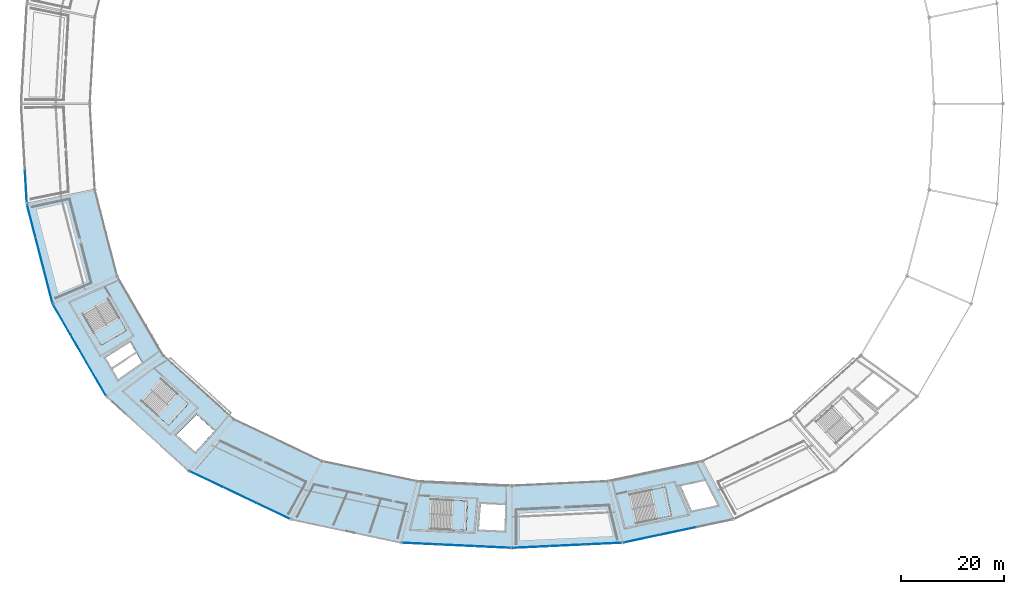
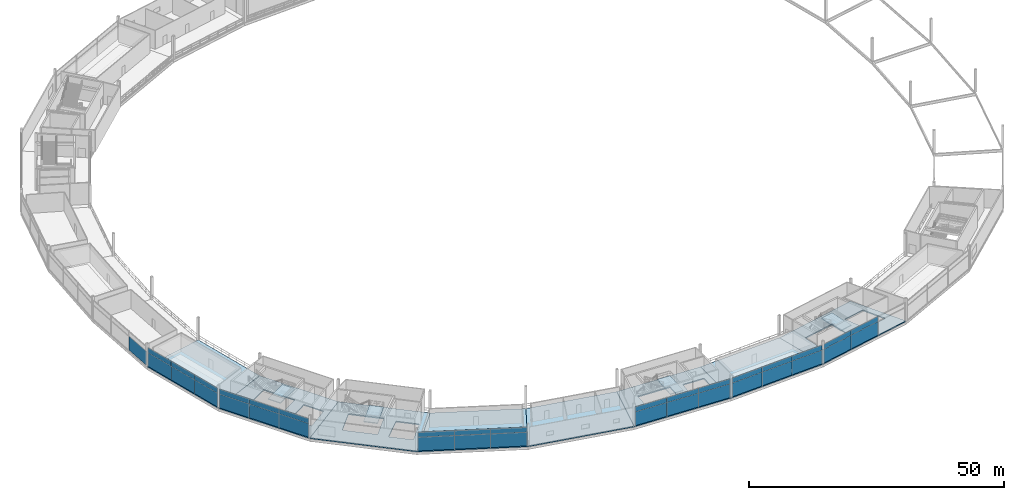
# One storey, part 68 of 103: 35 plates, 12 slabs, 11 elements without a shape of their own.
"""IFC4 building model written with IfcOpenShell, lengths in metres."""

from ifc_helpers import new_model, si_unit, direction, frame, origin, origin_2d, place, context, subcontext, project, spatial, polyline, rectangle, outline, extrude, material, layer, layer_set, type_object, element, aggregate, save


model = new_model("IFC4")

# Units and contexts
model_context = context("Model", 3, precision=1e-05, world=origin(), true_north=direction((0.0, 1.0)))
body_context = subcontext(model_context, "Body", "Model", "MODEL_VIEW")
ifc_project = project(units=[si_unit("LENGTHUNIT", "METRE"), si_unit("AREAUNIT", "SQUARE_METRE"), si_unit("VOLUMEUNIT", "CUBIC_METRE"), si_unit("PLANEANGLEUNIT", "RADIAN"), si_unit("MASSUNIT", "GRAM", prefix="KILO")], contexts=[model_context])

# Site, building, storey
site_placement = place(None, origin())
site = spatial("IfcSite", under=ifc_project, at=site_placement, CompositionType="ELEMENT")
building_placement = place(site_placement, origin())
building = spatial("IfcBuilding", under=site, at=building_placement, Name="Kazemori Nagisa Stadium", CompositionType="ELEMENT")
storey_placement = place(building_placement, frame((0.0, 0.0, 25.840087890625)))
storey = spatial("IfcBuildingStorey", under=building, at=storey_placement, Name="L05", CompositionType="ELEMENT", Elevation=25.840087890625)

# Curtain wall, plates
ifc_material_1 = material(Name="Anodised aluminium 6063-T5", Category="aluminium")
ifc_layer_1 = layer(ifc_material_1, 0.239990234375, Name="Anodised aluminium 6063-T5", Category="aluminium")
ifc_layer_set_1 = layer_set([ifc_layer_1], Name="Anodised aluminium 6063-T5")
curtain_wall_type_1 = type_object("IfcCurtainWallType", Name="CW_L05R3_101", PredefinedType="USERDEFINED", material=ifc_layer_set_1)
curtain_wall_1_placement = place(storey_placement, origin())
curtain_wall_1 = element("IfcCurtainWall", 1, at=curtain_wall_1_placement, inside=storey, type_object=curtain_wall_type_1, Name="Unitised curtain wall CW-L05R3-101 L05", ObjectType="UNITISED CURTAIN WALL", PredefinedType="USERDEFINED")
ifc_material_2 = material(Name="Anodised aluminium spandrel sheet", Category="aluminium")
ifc_layer_2 = layer(ifc_material_2, 0.052001953125, Name="Anodised aluminium spandrel sheet", Category="aluminium")
ifc_layer_set_2 = layer_set([ifc_layer_2], Name="Anodised aluminium spandrel sheet")
plate_type_1 = type_object("IfcPlateType", Name="CWPanel_SPN_L05R3_101", PredefinedType="CURTAIN_PANEL", material=ifc_layer_set_2)
plate_1_placement = place(storey_placement, frame((35.931884765625, 60.116943359375, 3.306884765625), z_axis=(0.0, 0.0, 1.0), x_axis=(0.501611590054, -0.865092950337, 0.0)))
plate_1 = element("IfcPlate", 2, at=plate_1_placement, type_object=plate_type_1, Name="Curtain wall spandrel panel CW-L05R3-101-S1", PredefinedType="CURTAIN_PANEL", context=body_context, shape_type="SweptSolid", body=[
    extrude(rectangle(XDim=6.7099609375, YDim=0.052001953125, at=origin_2d()), origin(), (0.0, 0.0, 1.0), 1.22314453125),
])
plate_2_placement = place(storey_placement, frame((39.309814453125, 54.29150390625, 3.306884765625), z_axis=(0.0, 0.0, 1.0), x_axis=(0.501611590054, -0.865092950337, 0.0)))
plate_2 = element("IfcPlate", 3, at=plate_2_placement, type_object=plate_type_1, Name="Curtain wall spandrel panel CW-L05R3-101-S2", PredefinedType="CURTAIN_PANEL", context=body_context, shape_type="SweptSolid", body=[
    extrude(rectangle(XDim=6.7099609375, YDim=0.052001953125, at=origin_2d()), origin(), (0.0, 0.0, 1.0), 1.22314453125),
])
plate_3_placement = place(storey_placement, frame((42.687744140625, 48.4658203125, 3.306884765625), z_axis=(0.0, 0.0, 1.0), x_axis=(0.501611590054, -0.865092950337, 0.0)))
plate_3 = element("IfcPlate", 4, at=plate_3_placement, type_object=plate_type_1, Name="Curtain wall spandrel panel CW-L05R3-101-S3", PredefinedType="CURTAIN_PANEL", context=body_context, shape_type="SweptSolid", body=[
    extrude(rectangle(XDim=6.7099609375, YDim=0.052001953125, at=origin_2d()), origin(), (0.0, 0.0, 1.0), 1.22314453125),
])

ifc_layer_3 = layer(ifc_material_1, 0.239990234375, Name="Anodised aluminium 6063-T5", Category="aluminium")
ifc_layer_set_3 = layer_set([ifc_layer_3], Name="Anodised aluminium 6063-T5")
curtain_wall_type_2 = type_object("IfcCurtainWallType", Name="CW_L05R3_105", PredefinedType="USERDEFINED", material=ifc_layer_set_3)
curtain_wall_2_placement = place(storey_placement, origin())
curtain_wall_2 = element("IfcCurtainWall", 5, at=curtain_wall_2_placement, inside=storey, type_object=curtain_wall_type_2, Name="Unitised curtain wall CW-L05R3-105 L05", ObjectType="UNITISED CURTAIN WALL", PredefinedType="USERDEFINED")
ifc_layer_4 = layer(ifc_material_2, 0.052001953125, Name="Anodised aluminium spandrel sheet", Category="aluminium")
ifc_layer_set_4 = layer_set([ifc_layer_4], Name="Anodised aluminium spandrel sheet")
plate_type_2 = type_object("IfcPlateType", Name="CWPanel_SPN_L05R3_105", PredefinedType="CURTAIN_PANEL", material=ifc_layer_set_4)
plate_4_placement = place(storey_placement, frame((105.3134765625, 16.836181640625, 3.306884765625), z_axis=(0.0, 0.0, 1.0), x_axis=(0.998884022476, -0.047230388971, 0.0)))
plate_4 = element("IfcPlate", 6, at=plate_4_placement, type_object=plate_type_2, Name="Curtain wall spandrel panel CW-L05R3-105-S1", PredefinedType="CURTAIN_PANEL", context=body_context, shape_type="SweptSolid", body=[
    extrude(rectangle(XDim=6.956787109375, YDim=0.052001953125, at=origin_2d()), origin(), (0.0, 0.0, 1.0), 1.22314453125),
])
plate_5_placement = place(storey_placement, frame((112.2861328125, 16.506591796875, 3.306884765625), z_axis=(0.0, 0.0, 1.0), x_axis=(0.998884022476, -0.047230388971, 0.0)))
plate_5 = element("IfcPlate", 7, at=plate_5_placement, type_object=plate_type_2, Name="Curtain wall spandrel panel CW-L05R3-105-S2", PredefinedType="CURTAIN_PANEL", context=body_context, shape_type="SweptSolid", body=[
    extrude(rectangle(XDim=6.956787109375, YDim=0.052001953125, at=origin_2d()), origin(), (0.0, 0.0, 1.0), 1.22314453125),
])
plate_6_placement = place(storey_placement, frame((119.2587890625, 16.177001953125, 3.306884765625), z_axis=(0.0, 0.0, 1.0), x_axis=(0.998884022476, -0.047230388971, 0.0)))
plate_6 = element("IfcPlate", 8, at=plate_6_placement, type_object=plate_type_2, Name="Curtain wall spandrel panel CW-L05R3-105-S3", PredefinedType="CURTAIN_PANEL", context=body_context, shape_type="SweptSolid", body=[
    extrude(rectangle(XDim=6.956787109375, YDim=0.052001953125, at=origin_2d()), origin(), (0.0, 0.0, 1.0), 1.22314453125),
])

curtain_wall_3_placement = place(storey_placement, origin())
curtain_wall_3 = element("IfcCurtainWall", 9, at=curtain_wall_3_placement, inside=storey, type_object=curtain_wall_type_2, Name="Unitised curtain wall CW-L05R3-105 L05", ObjectType="UNITISED CURTAIN WALL", PredefinedType="USERDEFINED")
plate_7_placement = place(storey_placement, frame((126.7412109375, 16.177001953125, 3.306884765625), z_axis=(0.0, 0.0, 1.0), x_axis=(0.998884022476, 0.047230388971, 0.0)))
plate_7 = element("IfcPlate", 10, at=plate_7_placement, type_object=plate_type_2, Name="Curtain wall spandrel panel CW-L05R3-105-S1", PredefinedType="CURTAIN_PANEL", context=body_context, shape_type="SweptSolid", body=[
    extrude(rectangle(XDim=6.956787109375, YDim=0.052001953125, at=origin_2d()), origin(), (0.0, 0.0, 1.0), 1.22314453125),
])
plate_8_placement = place(storey_placement, frame((133.7138671875, 16.506591796875, 3.306884765625), z_axis=(0.0, 0.0, 1.0), x_axis=(0.998884022476, 0.047230388971, 0.0)))
plate_8 = element("IfcPlate", 11, at=plate_8_placement, type_object=plate_type_2, Name="Curtain wall spandrel panel CW-L05R3-105-S2", PredefinedType="CURTAIN_PANEL", context=body_context, shape_type="SweptSolid", body=[
    extrude(rectangle(XDim=6.956787109375, YDim=0.052001953125, at=origin_2d()), origin(), (0.0, 0.0, 1.0), 1.22314453125),
])
plate_9_placement = place(storey_placement, frame((140.6865234375, 16.836181640625, 3.306884765625), z_axis=(0.0, 0.0, 1.0), x_axis=(0.998884022476, 0.047230388971, 0.0)))
plate_9 = element("IfcPlate", 12, at=plate_9_placement, type_object=plate_type_2, Name="Curtain wall spandrel panel CW-L05R3-105-S3", PredefinedType="CURTAIN_PANEL", context=body_context, shape_type="SweptSolid", body=[
    extrude(rectangle(XDim=6.956787109375, YDim=0.052001953125, at=origin_2d()), origin(), (0.0, 0.0, 1.0), 1.22314453125),
])

ifc_layer_5 = layer(ifc_material_1, 0.239990234375, Name="Anodised aluminium 6063-T5", Category="aluminium")
ifc_layer_set_5 = layer_set([ifc_layer_5], Name="Anodised aluminium 6063-T5")
curtain_wall_type_3 = type_object("IfcCurtainWallType", Name="CW_L05R3_107", PredefinedType="USERDEFINED", material=ifc_layer_set_5)
curtain_wall_4_placement = place(storey_placement, origin())
curtain_wall_4 = element("IfcCurtainWall", 13, at=curtain_wall_4_placement, inside=storey, type_object=curtain_wall_type_3, Name="Unitised curtain wall CW-L05R3-107 L05", ObjectType="UNITISED CURTAIN WALL", PredefinedType="USERDEFINED")
ifc_layer_6 = layer(ifc_material_2, 0.052001953125, Name="Anodised aluminium spandrel sheet", Category="aluminium")
ifc_layer_set_6 = layer_set([ifc_layer_6], Name="Anodised aluminium spandrel sheet")
plate_type_3 = type_object("IfcPlateType", Name="CWPanel_SPN_L05R3_107", PredefinedType="CURTAIN_PANEL", material=ifc_layer_set_6)
plate_10_placement = place(storey_placement, frame((63.8544921875, 29.300537109375, 3.306884765625), z_axis=(0.0, 0.0, 1.0), x_axis=(0.903215892654, -0.429186499388, 0.0)))
plate_10 = element("IfcPlate", 14, at=plate_10_placement, type_object=plate_type_3, Name="Curtain wall spandrel panel CW-L05R3-107-S1", PredefinedType="CURTAIN_PANEL", context=body_context, shape_type="SweptSolid", body=[
    extrude(rectangle(XDim=7.110595703125, YDim=0.052001953125, at=origin_2d()), origin(), (0.0, 0.0, 1.0), 1.22314453125),
])
plate_11_placement = place(storey_placement, frame((70.298583984375, 26.23828125, 3.306884765625), z_axis=(0.0, 0.0, 1.0), x_axis=(0.903215892654, -0.429186499388, 0.0)))
plate_11 = element("IfcPlate", 15, at=plate_11_placement, type_object=plate_type_3, Name="Curtain wall spandrel panel CW-L05R3-107-S2", PredefinedType="CURTAIN_PANEL", context=body_context, shape_type="SweptSolid", body=[
    extrude(rectangle(XDim=7.110595703125, YDim=0.052001953125, at=origin_2d()), origin(), (0.0, 0.0, 1.0), 1.22314453125),
])
plate_12_placement = place(storey_placement, frame((76.742919921875, 23.17626953125, 3.306884765625), z_axis=(0.0, 0.0, 1.0), x_axis=(0.903215892654, -0.429186499388, 0.0)))
plate_12 = element("IfcPlate", 16, at=plate_12_placement, type_object=plate_type_3, Name="Curtain wall spandrel panel CW-L05R3-107-S3", PredefinedType="CURTAIN_PANEL", context=body_context, shape_type="SweptSolid", body=[
    extrude(rectangle(XDim=7.110595703125, YDim=0.052001953125, at=origin_2d()), origin(), (0.0, 0.0, 1.0), 1.22314453125),
])

curtain_wall_5_placement = place(storey_placement, origin())
curtain_wall_5 = element("IfcCurtainWall", 17, at=curtain_wall_5_placement, inside=storey, type_object=curtain_wall_type_3, Name="Unitised curtain wall CW-L05R3-107 L05", ObjectType="UNITISED CURTAIN WALL", PredefinedType="USERDEFINED")
plate_13_placement = place(storey_placement, frame((148.15673828125, 17.802001953125, 3.306884765625), z_axis=(0.0, 0.0, 1.0), x_axis=(0.978344955407, 0.206981033502, 0.0)))
plate_13 = element("IfcPlate", 18, at=plate_13_placement, type_object=plate_type_3, Name="Curtain wall spandrel panel CW-L05R3-107-S1", PredefinedType="CURTAIN_PANEL", context=body_context, shape_type="SweptSolid", body=[
    extrude(rectangle(XDim=7.08935546875, YDim=0.052001953125, at=origin_2d()), origin(), (0.0, 0.0, 1.0), 1.22314453125),
])
plate_14_placement = place(storey_placement, frame((155.1162109375, 19.2744140625, 3.306884765625), z_axis=(0.0, 0.0, 1.0), x_axis=(0.978344955407, 0.206981033502, 0.0)))
plate_14 = element("IfcPlate", 19, at=plate_14_placement, type_object=plate_type_3, Name="Curtain wall spandrel panel CW-L05R3-107-S2", PredefinedType="CURTAIN_PANEL", context=body_context, shape_type="SweptSolid", body=[
    extrude(rectangle(XDim=7.08935546875, YDim=0.052001953125, at=origin_2d()), origin(), (0.0, 0.0, 1.0), 1.22314453125),
])

ifc_layer_7 = layer(ifc_material_1, 0.239990234375, Name="Anodised aluminium 6063-T5", Category="aluminium")
ifc_layer_set_7 = layer_set([ifc_layer_7], Name="Anodised aluminium 6063-T5")
curtain_wall_type_4 = type_object("IfcCurtainWallType", Name="CW_L05R3_98", PredefinedType="USERDEFINED", material=ifc_layer_set_7)
curtain_wall_6_placement = place(storey_placement, origin())
curtain_wall_6 = element("IfcCurtainWall", 20, at=curtain_wall_6_placement, inside=storey, type_object=curtain_wall_type_4, Name="Unitised curtain wall CW-L05R3-98 L05", ObjectType="UNITISED CURTAIN WALL", PredefinedType="USERDEFINED")
ifc_layer_8 = layer(ifc_material_2, 0.052001953125, Name="Anodised aluminium spandrel sheet", Category="aluminium")
ifc_layer_set_8 = layer_set([ifc_layer_8], Name="Anodised aluminium spandrel sheet")
plate_type_4 = type_object("IfcPlateType", Name="CWPanel_SPN_L05R3_98", PredefinedType="CURTAIN_PANEL", material=ifc_layer_set_8)
plate_15_placement = place(storey_placement, frame((29.994384765625, 79.21240234375, 3.306884765625), z_axis=(0.0, 0.0, 1.0), x_axis=(0.249964642418, -0.968254965152, 0.0)))
plate_15 = element("IfcPlate", 21, at=plate_15_placement, type_object=plate_type_4, Name="Curtain wall spandrel panel CW-L05R3-98-S1", PredefinedType="CURTAIN_PANEL", context=body_context, shape_type="SweptSolid", body=[
    extrude(rectangle(XDim=6.468017578125, YDim=0.052001953125, at=origin_2d()), origin(), (0.0, 0.0, 1.0), 1.22314453125),
])
plate_16_placement = place(storey_placement, frame((31.6171875, 72.92626953125, 3.306884765625), z_axis=(0.0, 0.0, 1.0), x_axis=(0.249964642418, -0.968254965152, 0.0)))
plate_16 = element("IfcPlate", 22, at=plate_16_placement, type_object=plate_type_4, Name="Curtain wall spandrel panel CW-L05R3-98-S2", PredefinedType="CURTAIN_PANEL", context=body_context, shape_type="SweptSolid", body=[
    extrude(rectangle(XDim=6.468017578125, YDim=0.052001953125, at=origin_2d()), origin(), (0.0, 0.0, 1.0), 1.22314453125),
])
plate_17_placement = place(storey_placement, frame((33.239990234375, 66.640380859375, 3.306884765625), z_axis=(0.0, 0.0, 1.0), x_axis=(0.249964642418, -0.968254965152, 0.0)))
plate_17 = element("IfcPlate", 23, at=plate_17_placement, type_object=plate_type_4, Name="Curtain wall spandrel panel CW-L05R3-98-S3", PredefinedType="CURTAIN_PANEL", context=body_context, shape_type="SweptSolid", body=[
    extrude(rectangle(XDim=6.468017578125, YDim=0.052001953125, at=origin_2d()), origin(), (0.0, 0.0, 1.0), 1.22314453125),
])

# Plate
ifc_material_3 = material(Name="Low-e laminated double glazing", Category="glass")
ifc_layer_9 = layer(ifc_material_3, 0.034912109375, Name="Low-e laminated double glazing", Category="glass")
ifc_layer_set_9 = layer_set([ifc_layer_9], Name="Low-e laminated double glazing")
plate_type_5 = type_object("IfcPlateType", Name="CWPanel_VIS_L05R3_101", PredefinedType="CURTAIN_PANEL", material=ifc_layer_set_9)
plate_18_placement = place(storey_placement, frame((35.931884765625, 60.116943359375, 0.0), z_axis=(0.0, 0.0, 1.0), x_axis=(0.501611590054, -0.865092950337, 0.0)))
plate_18 = element("IfcPlate", 24, at=plate_18_placement, type_object=plate_type_5, Name="Curtain wall vision panel CW-L05R3-101-V1", PredefinedType="CURTAIN_PANEL", context=body_context, shape_type="SweptSolid", body=[
    extrude(rectangle(XDim=6.7099609375, YDim=0.034912109375, at=origin_2d()), origin(), (0.0, 0.0, 1.0), 3.306884765625),
])

plate_19_placement = place(storey_placement, frame((39.309814453125, 54.29150390625, 0.0), z_axis=(0.0, 0.0, 1.0), x_axis=(0.501611590054, -0.865092950337, 0.0)))
plate_19 = element("IfcPlate", 25, at=plate_19_placement, type_object=plate_type_5, Name="Curtain wall vision panel CW-L05R3-101-V2", PredefinedType="CURTAIN_PANEL", context=body_context, shape_type="SweptSolid", body=[
    extrude(rectangle(XDim=6.7099609375, YDim=0.034912109375, at=origin_2d()), origin(), (0.0, 0.0, 1.0), 3.306884765625),
])

plate_20_placement = place(storey_placement, frame((42.687744140625, 48.4658203125, 0.0), z_axis=(0.0, 0.0, 1.0), x_axis=(0.501611590054, -0.865092950337, 0.0)))
plate_20 = element("IfcPlate", 26, at=plate_20_placement, type_object=plate_type_5, Name="Curtain wall vision panel CW-L05R3-101-V3", PredefinedType="CURTAIN_PANEL", context=body_context, shape_type="SweptSolid", body=[
    extrude(rectangle(XDim=6.7099609375, YDim=0.034912109375, at=origin_2d()), origin(), (0.0, 0.0, 1.0), 3.306884765625),
])

aggregate(curtain_wall_1, [plate_18, plate_1, plate_19, plate_2, plate_20, plate_3])

ifc_layer_10 = layer(ifc_material_3, 0.034912109375, Name="Low-e laminated double glazing", Category="glass")
ifc_layer_set_10 = layer_set([ifc_layer_10], Name="Low-e laminated double glazing")
plate_type_6 = type_object("IfcPlateType", Name="CWPanel_VIS_L05R3_105", PredefinedType="CURTAIN_PANEL", material=ifc_layer_set_10)
plate_21_placement = place(storey_placement, frame((105.3134765625, 16.836181640625, 0.0), z_axis=(0.0, 0.0, 1.0), x_axis=(0.998884022476, -0.047230388971, 0.0)))
plate_21 = element("IfcPlate", 27, at=plate_21_placement, type_object=plate_type_6, Name="Curtain wall vision panel CW-L05R3-105-V1", PredefinedType="CURTAIN_PANEL", context=body_context, shape_type="SweptSolid", body=[
    extrude(rectangle(XDim=6.956787109375, YDim=0.034912109375, at=origin_2d()), origin(), (0.0, 0.0, 1.0), 3.306884765625),
])

plate_22_placement = place(storey_placement, frame((112.2861328125, 16.506591796875, 0.0), z_axis=(0.0, 0.0, 1.0), x_axis=(0.998884022476, -0.047230388971, 0.0)))
plate_22 = element("IfcPlate", 28, at=plate_22_placement, type_object=plate_type_6, Name="Curtain wall vision panel CW-L05R3-105-V2", PredefinedType="CURTAIN_PANEL", context=body_context, shape_type="SweptSolid", body=[
    extrude(rectangle(XDim=6.956787109375, YDim=0.034912109375, at=origin_2d()), origin(), (0.0, 0.0, 1.0), 3.306884765625),
])

plate_23_placement = place(storey_placement, frame((119.2587890625, 16.177001953125, 0.0), z_axis=(0.0, 0.0, 1.0), x_axis=(0.998884022476, -0.047230388971, 0.0)))
plate_23 = element("IfcPlate", 29, at=plate_23_placement, type_object=plate_type_6, Name="Curtain wall vision panel CW-L05R3-105-V3", PredefinedType="CURTAIN_PANEL", context=body_context, shape_type="SweptSolid", body=[
    extrude(rectangle(XDim=6.956787109375, YDim=0.034912109375, at=origin_2d()), origin(), (0.0, 0.0, 1.0), 3.306884765625),
])

aggregate(curtain_wall_2, [plate_21, plate_4, plate_22, plate_5, plate_23, plate_6])

plate_24_placement = place(storey_placement, frame((126.7412109375, 16.177001953125, 0.0), z_axis=(0.0, 0.0, 1.0), x_axis=(0.998884022476, 0.047230388971, 0.0)))
plate_24 = element("IfcPlate", 30, at=plate_24_placement, type_object=plate_type_6, Name="Curtain wall vision panel CW-L05R3-105-V1", PredefinedType="CURTAIN_PANEL", context=body_context, shape_type="SweptSolid", body=[
    extrude(rectangle(XDim=6.956787109375, YDim=0.034912109375, at=origin_2d()), origin(), (0.0, 0.0, 1.0), 3.306884765625),
])

plate_25_placement = place(storey_placement, frame((133.7138671875, 16.506591796875, 0.0), z_axis=(0.0, 0.0, 1.0), x_axis=(0.998884022476, 0.047230388971, 0.0)))
plate_25 = element("IfcPlate", 31, at=plate_25_placement, type_object=plate_type_6, Name="Curtain wall vision panel CW-L05R3-105-V2", PredefinedType="CURTAIN_PANEL", context=body_context, shape_type="SweptSolid", body=[
    extrude(rectangle(XDim=6.956787109375, YDim=0.034912109375, at=origin_2d()), origin(), (0.0, 0.0, 1.0), 3.306884765625),
])

plate_26_placement = place(storey_placement, frame((140.6865234375, 16.836181640625, 0.0), z_axis=(0.0, 0.0, 1.0), x_axis=(0.998884022476, 0.047230388971, 0.0)))
plate_26 = element("IfcPlate", 32, at=plate_26_placement, type_object=plate_type_6, Name="Curtain wall vision panel CW-L05R3-105-V3", PredefinedType="CURTAIN_PANEL", context=body_context, shape_type="SweptSolid", body=[
    extrude(rectangle(XDim=6.956787109375, YDim=0.034912109375, at=origin_2d()), origin(), (0.0, 0.0, 1.0), 3.306884765625),
])

aggregate(curtain_wall_3, [plate_24, plate_7, plate_25, plate_8, plate_26, plate_9])

ifc_layer_11 = layer(ifc_material_3, 0.034912109375, Name="Low-e laminated double glazing", Category="glass")
ifc_layer_set_11 = layer_set([ifc_layer_11], Name="Low-e laminated double glazing")
plate_type_7 = type_object("IfcPlateType", Name="CWPanel_VIS_L05R3_107", PredefinedType="CURTAIN_PANEL", material=ifc_layer_set_11)
plate_27_placement = place(storey_placement, frame((63.8544921875, 29.300537109375, 0.0), z_axis=(0.0, 0.0, 1.0), x_axis=(0.903215892654, -0.429186499388, 0.0)))
plate_27 = element("IfcPlate", 33, at=plate_27_placement, type_object=plate_type_7, Name="Curtain wall vision panel CW-L05R3-107-V1", PredefinedType="CURTAIN_PANEL", context=body_context, shape_type="SweptSolid", body=[
    extrude(rectangle(XDim=7.110595703125, YDim=0.034912109375, at=origin_2d()), origin(), (0.0, 0.0, 1.0), 3.306884765625),
])

plate_28_placement = place(storey_placement, frame((70.298583984375, 26.23828125, 0.0), z_axis=(0.0, 0.0, 1.0), x_axis=(0.903215892654, -0.429186499388, 0.0)))
plate_28 = element("IfcPlate", 34, at=plate_28_placement, type_object=plate_type_7, Name="Curtain wall vision panel CW-L05R3-107-V2", PredefinedType="CURTAIN_PANEL", context=body_context, shape_type="SweptSolid", body=[
    extrude(rectangle(XDim=7.110595703125, YDim=0.034912109375, at=origin_2d()), origin(), (0.0, 0.0, 1.0), 3.306884765625),
])

plate_29_placement = place(storey_placement, frame((76.742919921875, 23.17626953125, 0.0), z_axis=(0.0, 0.0, 1.0), x_axis=(0.903215892654, -0.429186499388, 0.0)))
plate_29 = element("IfcPlate", 35, at=plate_29_placement, type_object=plate_type_7, Name="Curtain wall vision panel CW-L05R3-107-V3", PredefinedType="CURTAIN_PANEL", context=body_context, shape_type="SweptSolid", body=[
    extrude(rectangle(XDim=7.110595703125, YDim=0.034912109375, at=origin_2d()), origin(), (0.0, 0.0, 1.0), 3.306884765625),
])

aggregate(curtain_wall_4, [plate_27, plate_10, plate_28, plate_11, plate_29, plate_12])

plate_30_placement = place(storey_placement, frame((148.15673828125, 17.802001953125, 0.0), z_axis=(0.0, 0.0, 1.0), x_axis=(0.978344955407, 0.206981033502, 0.0)))
plate_30 = element("IfcPlate", 36, at=plate_30_placement, type_object=plate_type_7, Name="Curtain wall vision panel CW-L05R3-107-V1", PredefinedType="CURTAIN_PANEL", context=body_context, shape_type="SweptSolid", body=[
    extrude(rectangle(XDim=7.08935546875, YDim=0.034912109375, at=origin_2d()), origin(), (0.0, 0.0, 1.0), 3.306884765625),
])

plate_31_placement = place(storey_placement, frame((155.1162109375, 19.2744140625, 0.0), z_axis=(0.0, 0.0, 1.0), x_axis=(0.978344955407, 0.206981033502, 0.0)))
plate_31 = element("IfcPlate", 37, at=plate_31_placement, type_object=plate_type_7, Name="Curtain wall vision panel CW-L05R3-107-V2", PredefinedType="CURTAIN_PANEL", context=body_context, shape_type="SweptSolid", body=[
    extrude(rectangle(XDim=7.08935546875, YDim=0.034912109375, at=origin_2d()), origin(), (0.0, 0.0, 1.0), 3.306884765625),
])

aggregate(curtain_wall_5, [plate_30, plate_13, plate_31, plate_14])

# Curtain wall, plate
ifc_layer_12 = layer(ifc_material_1, 0.239990234375, Name="Anodised aluminium 6063-T5", Category="aluminium")
ifc_layer_set_12 = layer_set([ifc_layer_12], Name="Anodised aluminium 6063-T5")
curtain_wall_type_5 = type_object("IfcCurtainWallType", Name="CW_L05R3_95", PredefinedType="USERDEFINED", material=ifc_layer_set_12)
curtain_wall_7_placement = place(storey_placement, origin())
curtain_wall_7 = element("IfcCurtainWall", 38, at=curtain_wall_7_placement, inside=storey, type_object=curtain_wall_type_5, Name="Unitised curtain wall CW-L05R3-95 L05", ObjectType="UNITISED CURTAIN WALL", PredefinedType="USERDEFINED")
ifc_layer_13 = layer(ifc_material_3, 0.034912109375, Name="Low-e laminated double glazing", Category="glass")
ifc_layer_set_13 = layer_set([ifc_layer_13], Name="Low-e laminated double glazing")
plate_type_8 = type_object("IfcPlateType", Name="CWPanel_VIS_L05R3_95", PredefinedType="CURTAIN_PANEL", material=ifc_layer_set_13)
plate_32_placement = place(storey_placement, frame((28.9228515625, 86.0048828125, 0.0), z_axis=(0.0, 0.0, 1.0), x_axis=(0.057601670941, -0.998339645364, 0.0)))
plate_32 = element("IfcPlate", 39, at=plate_32_placement, type_object=plate_type_8, Name="Curtain wall vision panel CW-L05R3-95-V3", PredefinedType="CURTAIN_PANEL", context=body_context, shape_type="SweptSolid", body=[
    extrude(rectangle(XDim=6.28271484375, YDim=0.034912109375, at=origin_2d()), origin(), (0.0, 0.0, 1.0), 3.306884765625),
])
aggregate(curtain_wall_7, [plate_32])

# Plate
ifc_layer_14 = layer(ifc_material_3, 0.034912109375, Name="Low-e laminated double glazing", Category="glass")
ifc_layer_set_14 = layer_set([ifc_layer_14], Name="Low-e laminated double glazing")
plate_type_9 = type_object("IfcPlateType", Name="CWPanel_VIS_L05R3_98", PredefinedType="CURTAIN_PANEL", material=ifc_layer_set_14)
plate_33_placement = place(storey_placement, frame((29.994384765625, 79.21240234375, 0.0), z_axis=(0.0, 0.0, 1.0), x_axis=(0.249964642418, -0.968254965152, 0.0)))
plate_33 = element("IfcPlate", 40, at=plate_33_placement, type_object=plate_type_9, Name="Curtain wall vision panel CW-L05R3-98-V1", PredefinedType="CURTAIN_PANEL", context=body_context, shape_type="SweptSolid", body=[
    extrude(rectangle(XDim=6.468017578125, YDim=0.034912109375, at=origin_2d()), origin(), (0.0, 0.0, 1.0), 3.306884765625),
])

plate_34_placement = place(storey_placement, frame((31.6171875, 72.92626953125, 0.0), z_axis=(0.0, 0.0, 1.0), x_axis=(0.249964642418, -0.968254965152, 0.0)))
plate_34 = element("IfcPlate", 41, at=plate_34_placement, type_object=plate_type_9, Name="Curtain wall vision panel CW-L05R3-98-V2", PredefinedType="CURTAIN_PANEL", context=body_context, shape_type="SweptSolid", body=[
    extrude(rectangle(XDim=6.468017578125, YDim=0.034912109375, at=origin_2d()), origin(), (0.0, 0.0, 1.0), 3.306884765625),
])

plate_35_placement = place(storey_placement, frame((33.239990234375, 66.640380859375, 0.0), z_axis=(0.0, 0.0, 1.0), x_axis=(0.249964642418, -0.968254965152, 0.0)))
plate_35 = element("IfcPlate", 42, at=plate_35_placement, type_object=plate_type_9, Name="Curtain wall vision panel CW-L05R3-98-V3", PredefinedType="CURTAIN_PANEL", context=body_context, shape_type="SweptSolid", body=[
    extrude(rectangle(XDim=6.468017578125, YDim=0.034912109375, at=origin_2d()), origin(), (0.0, 0.0, 1.0), 3.306884765625),
])

aggregate(curtain_wall_6, [plate_33, plate_15, plate_34, plate_16, plate_35, plate_17])

# Stair, slab
ifc_material_4 = material(Name="Concrete C36/45 (Fc36)", Category="concrete")
stair_type = type_object("IfcStairType", Name="Stair_CORE_32", PredefinedType="TWO_STRAIGHT_RUN_STAIR", material=ifc_material_4)
stair_1_placement = place(storey_placement, origin())
stair_1 = element("IfcStair", 43, at=stair_1_placement, inside=storey, type_object=stair_type, Name="Exit stair ST09 L05", PredefinedType="TWO_STRAIGHT_RUN_STAIR")
ifc_layer_15 = layer(ifc_material_4, 0.199951171875, Name="Concrete C36/45 (Fc36)", Category="concrete")
ifc_layer_set_15 = layer_set([ifc_layer_15], Name="Concrete C36/45 (Fc36)")
slab_type_1 = type_object("IfcSlabType", Name="Slab_SL-LND-200", PredefinedType="LANDING", material=ifc_layer_set_15)
slab_1_placement = place(storey_placement, frame((0.0, 0.0, 2.52001953125)))
slab_1 = element("IfcSlab", 44, at=slab_1_placement, type_object=slab_type_1, Name="Exit stair ST09 L05 mid-landing", PredefinedType="LANDING", context=body_context, shape_type="SweptSolid", body=[
    extrude(outline(polyline([(46.988037109375, 60.523681640625), (48.41748046875, 58.05810546875), (43.486572265625, 55.198974609375), (42.056884765625, 57.66455078125), (46.988037109375, 60.523681640625)])), origin(), (0.0, 0.0, 1.0), 0.199951171875),
])
aggregate(stair_1, [slab_1])

stair_2_placement = place(storey_placement, origin())
stair_2 = element("IfcStair", 45, at=stair_2_placement, inside=storey, type_object=stair_type, Name="Exit stair ST03 L05", PredefinedType="TWO_STRAIGHT_RUN_STAIR")
slab_2_placement = place(storey_placement, frame((0.0, 0.0, 2.52001953125)))
slab_2 = element("IfcSlab", 46, at=slab_2_placement, type_object=slab_type_1, Name="Exit stair ST03 L05 mid-landing", PredefinedType="LANDING", context=body_context, shape_type="SweptSolid", body=[
    extrude(outline(polyline([(58.270751953125, 45.81689453125), (60.383544921875, 43.904052734375), (56.55810546875, 39.678466796875), (54.4453125, 41.591064453125), (58.270751953125, 45.81689453125)])), origin(), (0.0, 0.0, 1.0), 0.199951171875),
])
aggregate(stair_2, [slab_2])

stair_3_placement = place(storey_placement, origin())
stair_3 = element("IfcStair", 47, at=stair_3_placement, inside=storey, type_object=stair_type, Name="Exit stair ST12 L05", PredefinedType="TWO_STRAIGHT_RUN_STAIR")
slab_3_placement = place(storey_placement, frame((0.0, 0.0, 2.52001953125)))
slab_3 = element("IfcSlab", 48, at=slab_3_placement, type_object=slab_type_1, Name="Exit stair ST12 L05 mid-landing", PredefinedType="LANDING", context=body_context, shape_type="SweptSolid", body=[
    extrude(outline(polyline([(111.56494140625, 25.234375), (114.411865234375, 25.099853515625), (114.142578125, 19.40625), (111.2958984375, 19.540771484375), (111.56494140625, 25.234375)])), origin(), (0.0, 0.0, 1.0), 0.199951171875),
])
aggregate(stair_3, [slab_3])

stair_4_placement = place(storey_placement, origin())
stair_4 = element("IfcStair", 49, at=stair_4_placement, inside=storey, type_object=stair_type, Name="Exit stair ST06 L05", PredefinedType="TWO_STRAIGHT_RUN_STAIR")
slab_4_placement = place(storey_placement, frame((0.0, 0.0, 2.52001953125)))
slab_4 = element("IfcSlab", 50, at=slab_4_placement, type_object=slab_type_1, Name="Exit stair ST06 L05 mid-landing", PredefinedType="LANDING", context=body_context, shape_type="SweptSolid", body=[
    extrude(outline(polyline([(149.929931640625, 27.231689453125), (152.71826171875, 27.82177734375), (153.89794921875, 22.2451171875), (151.10986328125, 21.6552734375), (149.929931640625, 27.231689453125)])), origin(), (0.0, 0.0, 1.0), 0.199951171875),
])
aggregate(stair_4, [slab_4])

# Slabs
ifc_layer_16 = layer(ifc_material_4, 0.260009765625, Name="Concrete C36/45 (Fc36)", Category="concrete")
ifc_layer_set_16 = layer_set([ifc_layer_16], Name="Concrete C36/45 (Fc36)")
slab_type_2 = type_object("IfcSlabType", Name="Slab_SL-SKY-260", PredefinedType="FLOOR", material=ifc_layer_set_16)
slab_5_placement = place(storey_placement, frame((0.0, 0.0, -0.260009765625)))
element("IfcSlab", 51, at=slab_5_placement, inside=storey, type_object=slab_type_2, Name="Concourse floor slab L05 bay 16", PredefinedType="FLOOR", context=body_context, shape_type="SweptSolid", body=[
    extrude(outline(polyline([(42.262451171875, 85.31787109375), (46.55908203125, 68.67529296875), (34.114990234375, 63.25048828125), (29.119140625, 82.602294921875), (42.262451171875, 85.31787109375)])), origin(), (0.0, 0.0, 1.0), 0.260009765625),
])
slab_6_placement = place(storey_placement, frame((0.0, 0.0, -0.260009765625)))
element("IfcSlab", 52, at=slab_6_placement, inside=storey, type_object=slab_type_2, Name="Concourse floor slab L05 bay 17", PredefinedType="FLOOR", context=body_context, shape_type="SweptSolid", body=[
    extrude(outline(polyline([(46.55908203125, 68.67529296875), (55.493896484375, 53.265869140625), (44.504638671875, 45.332275390625), (34.114990234375, 63.25048828125), (46.55908203125, 68.67529296875)]), holes=[polyline([(44.858642578125, 64.196044921875), (48.41748046875, 58.05810546875), (43.486572265625, 55.198974609375), (39.927490234375, 61.336669921875), (44.858642578125, 64.196044921875)]), polyline([(49.128662109375, 55.793701171875), (51.3828125, 51.90625), (46.787841796875, 48.6923828125), (44.38916015625, 52.829345703125), (49.128662109375, 55.793701171875)])]), origin(), (0.0, 0.0, 1.0), 0.260009765625),
])
slab_7_placement = place(storey_placement, frame((0.0, 0.0, -0.260009765625)))
element("IfcSlab", 53, at=slab_7_placement, inside=storey, type_object=slab_type_2, Name="Concourse floor slab L05 bay 18", PredefinedType="FLOOR", context=body_context, shape_type="SweptSolid", body=[
    extrude(outline(polyline([(55.493896484375, 53.265869140625), (69.165771484375, 40.88916015625), (60.402099609375, 30.94091796875), (44.504638671875, 45.332275390625), (55.493896484375, 53.265869140625)]), holes=[polyline([(55.12353515625, 48.665771484375), (60.383544921875, 43.904052734375), (56.55810546875, 39.678466796875), (51.29833984375, 44.43994140625), (55.12353515625, 48.665771484375)]), polyline([(61.956298828125, 41.795654296875), (65.405517578125, 38.67333984375), (61.710205078125, 34.6103515625), (58.039794921875, 37.93310546875), (61.956298828125, 41.795654296875)])]), origin(), (0.0, 0.0, 1.0), 0.260009765625),
])
slab_8_placement = place(storey_placement, frame((0.0, 0.0, -0.260009765625)))
element("IfcSlab", 54, at=slab_8_placement, inside=storey, type_object=slab_type_2, Name="Concourse floor slab L05 bay 19", PredefinedType="FLOOR", context=body_context, shape_type="SweptSolid", body=[
    extrude(outline(polyline([(69.165771484375, 40.88916015625), (86.18798828125, 32.80078125), (80.1953125, 21.53564453125), (60.402099609375, 30.94091796875), (69.165771484375, 40.88916015625)])), origin(), (0.0, 0.0, 1.0), 0.260009765625),
])
slab_9_placement = place(storey_placement, frame((0.0, 0.0, -0.260009765625)))
element("IfcSlab", 55, at=slab_9_placement, inside=storey, type_object=slab_type_2, Name="Concourse floor slab L05 bay 20", PredefinedType="FLOOR", context=body_context, shape_type="SweptSolid", body=[
    extrude(outline(polyline([(86.18798828125, 32.80078125), (104.572265625, 28.911376953125), (101.572265625, 17.01318359375), (80.1953125, 21.53564453125), (86.18798828125, 32.80078125)])), origin(), (0.0, 0.0, 1.0), 0.260009765625),
])
slab_10_placement = place(storey_placement, frame((0.0, 0.0, -0.260009765625)))
element("IfcSlab", 56, at=slab_10_placement, inside=storey, type_object=slab_type_2, Name="Concourse floor slab L05 bay 21", PredefinedType="FLOOR", context=body_context, shape_type="SweptSolid", body=[
    extrude(outline(polyline([(104.572265625, 28.911376953125), (123.0, 28.0400390625), (123.0, 16.0), (101.572265625, 17.01318359375), (104.572265625, 28.911376953125)]), holes=[polyline([(107.32470703125, 25.434814453125), (114.411865234375, 25.099853515625), (114.142578125, 19.40625), (107.0556640625, 19.7412109375), (107.32470703125, 25.434814453125)]), polyline([(116.9951171875, 24.5400390625), (121.64404296875, 24.320068359375), (121.55712890625, 19.336181640625), (116.60986328125, 19.570068359375), (116.9951171875, 24.5400390625)])]), origin(), (0.0, 0.0, 1.0), 0.260009765625),
])
slab_11_placement = place(storey_placement, frame((0.0, 0.0, -0.260009765625)))
element("IfcSlab", 57, at=slab_11_placement, inside=storey, type_object=slab_type_2, Name="Concourse floor slab L05 bay 22", PredefinedType="FLOOR", context=body_context, shape_type="SweptSolid", body=[
    extrude(outline(polyline([(123.0, 28.0400390625), (141.427734375, 28.911376953125), (144.427734375, 17.01318359375), (123.0, 16.0), (123.0, 28.0400390625)])), origin(), (0.0, 0.0, 1.0), 0.260009765625),
])
slab_12_placement = place(storey_placement, frame((0.0, 0.0, -0.260009765625)))
element("IfcSlab", 58, at=slab_12_placement, inside=storey, type_object=slab_type_2, Name="Concourse floor slab L05 bay 23", PredefinedType="FLOOR", context=body_context, shape_type="SweptSolid", body=[
    extrude(outline(polyline([(141.427734375, 28.911376953125), (159.81201171875, 32.80078125), (165.8046875, 21.53564453125), (144.427734375, 17.01318359375), (141.427734375, 28.911376953125)]), holes=[polyline([(145.77685546875, 26.353271484375), (152.71826171875, 27.82177734375), (153.89794921875, 22.2451171875), (146.956787109375, 20.776611328125), (145.77685546875, 26.353271484375)]), polyline([(155.704833984375, 27.992919921875), (160.3427734375, 28.97412109375), (162.738525390625, 24.288818359375), (157.802978515625, 23.24462890625), (155.704833984375, 27.992919921875)])]), origin(), (0.0, 0.0, 1.0), 0.260009765625),
])

save(model, "model.ifc")
